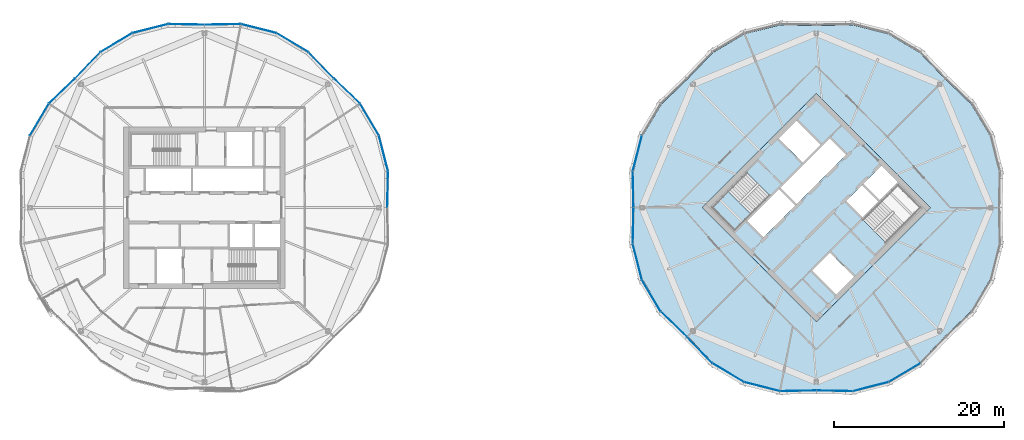
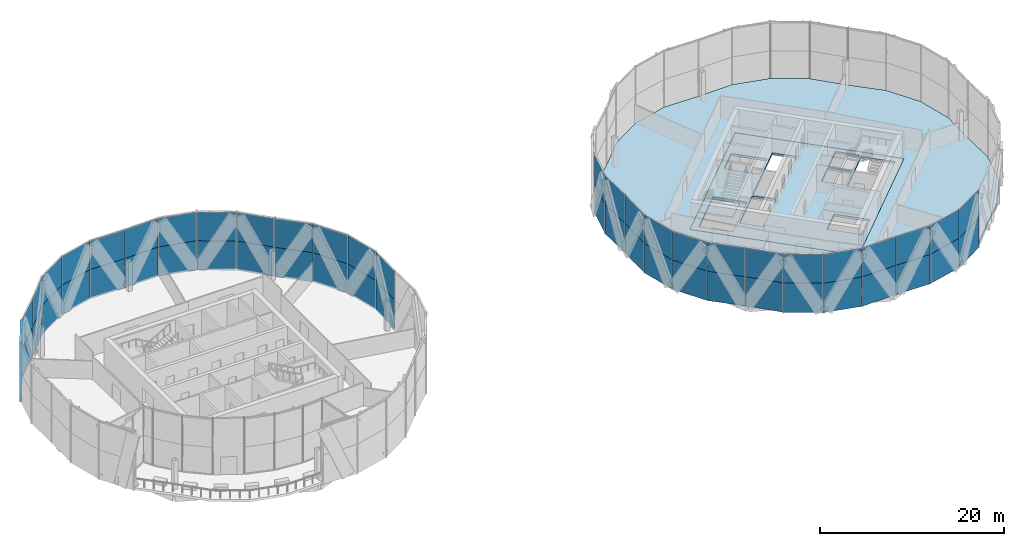
# One storey, part 17 of 27: 54 plates, 3 slabs, 9 elements without a shape of their own.
"""IFC4 building model written with IfcOpenShell, lengths in metres."""

from ifc_helpers import new_model, si_unit, direction, frame, origin, origin_2d, place, context, subcontext, project, spatial, polyline, rectangle, outline, extrude, material, layer, layer_set, type_object, element, aggregate, save


model = new_model("IFC4")

# Units and contexts
model_context = context("Model", 3, precision=1e-05, world=origin(), true_north=direction((0.0, 1.0)))
body_context = subcontext(model_context, "Body", "Model", "MODEL_VIEW")
ifc_project = project(units=[si_unit("LENGTHUNIT", "METRE"), si_unit("AREAUNIT", "SQUARE_METRE"), si_unit("VOLUMEUNIT", "CUBIC_METRE"), si_unit("PLANEANGLEUNIT", "RADIAN"), si_unit("MASSUNIT", "GRAM", prefix="KILO")], contexts=[model_context])

# Site, building, storey
site_placement = place(None, origin())
site = spatial("IfcSite", under=ifc_project, at=site_placement, CompositionType="ELEMENT")
building_placement = place(site_placement, origin())
building = spatial("IfcBuilding", under=site, at=building_placement, Name="Ogive Gate Towers", CompositionType="ELEMENT")
storey_placement = place(building_placement, frame((0.0, 0.0, 189.0)))
storey = spatial("IfcBuildingStorey", under=building, at=storey_placement, Name="L45", CompositionType="ELEMENT", Elevation=189.0)

# Slabs
ifc_material_1 = material(Name="Concrete C40/50", Category="concrete")
ifc_layer_1 = layer(ifc_material_1, 0.300048828125)
ifc_layer_set_1 = layer_set([ifc_layer_1], Name="Core slab C40/50 300 mm")
slab_type_1 = type_object("IfcSlabType", Name="Core slab C40/50 300 mm", PredefinedType="FLOOR", material=ifc_layer_set_1)
slab_1_placement = place(storey_placement, frame((0.0, 0.0, -0.300048828125)))
element("IfcSlab", 1, at=slab_1_placement, inside=storey, type_object=slab_type_1, Name="T2 L45 core slab", PredefinedType="FLOOR", context=body_context, shape_type="SweptSolid", body=[
    extrude(outline(polyline([(36.0, -13.43505859375), (22.56494140625, 0.0), (36.0, 13.43505859375), (49.43505859375, 0.0), (36.0, -13.43505859375)]), holes=[polyline([(29.759765625, -3.482421875), (33.50732421875, 0.26513671875), (31.615966796875, 2.15673828125), (27.868408203125, -1.591064453125), (29.759765625, -3.482421875)]), polyline([(31.792724609375, 2.33349609375), (33.68408203125, 0.44189453125), (39.482421875, 6.240234375), (37.591064453125, 8.131591796875), (31.792724609375, 2.33349609375)]), polyline([(41.3916015625, 2.634033203125), (39.517822265625, 0.760009765625), (41.409423828125, -1.13134765625), (43.283203125, 0.742431640625), (41.3916015625, 2.634033203125)]), polyline([(45.563720703125, 3.02294921875), (43.672119140625, 4.914306640625), (41.568603515625, 2.810791015625), (43.4599609375, 0.919189453125), (45.563720703125, 3.02294921875)]), polyline([(34.408935546875, 5.30322265625), (36.4951171875, 7.389404296875), (33.64892578125, 10.2353515625), (31.56298828125, 8.1494140625), (34.408935546875, 5.30322265625)]), polyline([(35.5048828125, -7.389404296875), (38.35107421875, -10.2353515625), (40.43701171875, -8.1494140625), (37.591064453125, -5.30322265625), (35.5048828125, -7.389404296875)]), polyline([(26.40087890625, -2.70458984375), (30.512939453125, 1.406982421875), (27.80810546875, 4.11181640625), (23.6962890625, 0.0), (26.40087890625, -2.70458984375)]), polyline([(48.3037109375, 0.0), (45.59912109375, 2.70458984375), (41.487060546875, -1.406982421875), (44.19189453125, -4.11181640625), (48.3037109375, 0.0)])]), origin(), (0.0, 0.0, 1.0), 0.300048828125),
])
ifc_material_2 = material(Name="Concrete C35/45", Category="concrete")
ifc_layer_2 = layer(ifc_material_2, 0.300048828125)
ifc_layer_set_2 = layer_set([ifc_layer_2], Name="Floor slab 300")
slab_type_2 = type_object("IfcSlabType", Name="Floor slab 300", PredefinedType="FLOOR", material=ifc_layer_set_2)
slab_2_placement = place(storey_placement, frame((0.0, 0.0, -0.300048828125)))
element("IfcSlab", 2, at=slab_2_placement, inside=storey, type_object=slab_type_2, Name="T2/L45/SSL001", PredefinedType="FLOOR", context=body_context, shape_type="SweptSolid", body=[
    extrude(outline(polyline([(57.498779296875, -4.2763671875), (57.419921875, 0.0), (57.498779296875, 4.2763671875), (56.436279296875, 8.46484375), (54.225830078125, 12.177978515625), (51.146240234375, 15.146240234375), (48.177978515625, 18.225830078125), (44.46484375, 20.436279296875), (40.2763671875, 21.498779296875), (36.0, 21.419921875), (31.7236328125, 21.498779296875), (27.53515625, 20.436279296875), (23.822021484375, 18.225830078125), (20.853759765625, 15.146240234375), (17.774169921875, 12.177978515625), (15.563720703125, 8.46484375), (14.501220703125, 4.2763671875), (14.580078125, 0.0), (14.501220703125, -4.2763671875), (15.563720703125, -8.46484375), (17.774169921875, -12.177978515625), (20.853759765625, -15.146240234375), (23.822021484375, -18.225830078125), (27.53515625, -20.436279296875), (31.7236328125, -21.498779296875), (36.0, -21.419921875), (40.2763671875, -21.498779296875), (44.46484375, -20.436279296875), (48.177978515625, -18.225830078125), (51.146240234375, -15.146240234375), (54.225830078125, -12.177978515625), (56.436279296875, -8.46484375), (57.498779296875, -4.2763671875)]), holes=[polyline([(49.43505859375, 0.0), (36.0, -13.43505859375), (22.56494140625, 0.0), (36.0, 13.43505859375), (49.43505859375, 0.0)])]), origin(), (0.0, 0.0, 1.0), 0.300048828125),
])

# Stair, slab
stair_type = type_object("IfcStairType", Name="Escape stair 1840 wide", PredefinedType="HALF_TURN_STAIR", material=ifc_material_1)
stair_placement = place(storey_placement, origin())
stair = element("IfcStair", 3, at=stair_placement, inside=storey, type_object=stair_type, Name="L45 Escape stair 1", PredefinedType="HALF_TURN_STAIR")
ifc_layer_3 = layer(ifc_material_1, 0.199951171875)
ifc_layer_set_3 = layer_set([ifc_layer_3], Name="Stair landing 200 mm")
slab_type_3 = type_object("IfcSlabType", Name="Stair landing 200 mm", PredefinedType="LANDING", material=ifc_layer_set_3)
slab_3_placement = place(storey_placement, frame((0.0, 0.0, 1.75)))
slab_3 = element("IfcSlab", 4, at=slab_3_placement, type_object=slab_type_3, Name="ST1 landing 1", PredefinedType="LANDING", context=body_context, shape_type="SweptSolid", body=[
    extrude(outline(polyline([(25.6044921875, 1.908203125), (23.6962890625, 0.0), (26.401123046875, -2.70458984375), (28.309326171875, -0.79638671875), (25.6044921875, 1.908203125)])), origin(), (0.0, 0.0, 1.0), 0.199951171875),
])
aggregate(stair, [slab_3])

# Curtain wall, plates
ifc_material_3 = material(Name="Pale metal aluminium", Category="aluminium")
curtain_wall_type = type_object("IfcCurtainWallType", Name="Tower unitised wall, high zone", PredefinedType="NOTDEFINED", material=ifc_material_3)
curtain_wall_1_placement = place(storey_placement, origin())
curtain_wall_1 = element("IfcCurtainWall", 5, at=curtain_wall_1_placement, inside=storey, type_object=curtain_wall_type, Name="CW2 T1 ECW04", PredefinedType="NOTDEFINED")
ifc_material_4 = material(Name="Clear glass", Category="glass")
ifc_layer_4 = layer(ifc_material_4, 0.028076171875)
ifc_layer_set_4 = layer_set([ifc_layer_4], Name="Tower unitised wall, high zone glass panel")
plate_type = type_object("IfcPlateType", Name="Tower unitised wall, high zone glass panel", PredefinedType="CURTAIN_PANEL", material=ifc_layer_set_4)
plate_1_placement = place(storey_placement, frame((-19.240478515625, 13.730224609375, -0.300048828125), z_axis=(0.0, 0.0, 1.0), x_axis=(0.720030516576, -0.693942400491, 0.0)))
plate_1 = element("IfcPlate", 6, at=plate_1_placement, type_object=plate_type, Name="CW2 glass panel", PredefinedType="CURTAIN_PANEL", context=body_context, shape_type="SweptSolid", body=[
    extrude(rectangle(XDim=4.230712890625, YDim=0.028076171875, at=origin_2d()), origin(), (0.0, 0.0, 1.0), 3.89990234375),
])
plate_2_placement = place(storey_placement, frame((-19.240478515625, 13.730224609375, 3.60009765625), z_axis=(0.0, 0.0, 1.0), x_axis=(0.720030516576, -0.693942400491, 0.0)))
plate_2 = element("IfcPlate", 7, at=plate_2_placement, type_object=plate_type, Name="CW2 glass panel", PredefinedType="CURTAIN_PANEL", context=body_context, shape_type="SweptSolid", body=[
    extrude(rectangle(XDim=4.230712890625, YDim=0.028076171875, at=origin_2d()), origin(), (0.0, 0.0, 1.0), 3.803955078125),
])
plate_3_placement = place(storey_placement, frame((-16.582763671875, 10.372314453125, -0.300048828125), z_axis=(0.0, 0.0, 1.0), x_axis=(0.511518060625, -0.859272525835, 0.0)))
plate_3 = element("IfcPlate", 8, at=plate_3_placement, type_object=plate_type, Name="CW2 glass panel", PredefinedType="CURTAIN_PANEL", context=body_context, shape_type="SweptSolid", body=[
    extrude(rectangle(XDim=4.287353515625, YDim=0.028076171875, at=origin_2d()), origin(), (0.0, 0.0, 1.0), 3.89990234375),
])
plate_4_placement = place(storey_placement, frame((-16.582763671875, 10.372314453125, 3.60009765625), z_axis=(0.0, 0.0, 1.0), x_axis=(0.511518060625, -0.859272525835, 0.0)))
plate_4 = element("IfcPlate", 9, at=plate_4_placement, type_object=plate_type, Name="CW2 glass panel", PredefinedType="CURTAIN_PANEL", context=body_context, shape_type="SweptSolid", body=[
    extrude(rectangle(XDim=4.287353515625, YDim=0.028076171875, at=origin_2d()), origin(), (0.0, 0.0, 1.0), 3.803955078125),
])
plate_5_placement = place(storey_placement, frame((-14.935791015625, 6.395751953125, -0.300048828125), z_axis=(0.0, 0.0, 1.0), x_axis=(0.245882623105, -0.969299610881, 0.0)))
plate_5 = element("IfcPlate", 10, at=plate_5_placement, type_object=plate_type, Name="CW2 glass panel", PredefinedType="CURTAIN_PANEL", context=body_context, shape_type="SweptSolid", body=[
    extrude(rectangle(XDim=4.287109375, YDim=0.028076171875, at=origin_2d()), origin(), (0.0, 0.0, 1.0), 3.89990234375),
])
plate_6_placement = place(storey_placement, frame((-14.935791015625, 6.395751953125, 3.60009765625), z_axis=(0.0, 0.0, 1.0), x_axis=(0.245882623105, -0.969299610881, 0.0)))
plate_6 = element("IfcPlate", 11, at=plate_6_placement, type_object=plate_type, Name="CW2 glass panel", PredefinedType="CURTAIN_PANEL", context=body_context, shape_type="SweptSolid", body=[
    extrude(rectangle(XDim=4.287109375, YDim=0.028076171875, at=origin_2d()), origin(), (0.0, 0.0, 1.0), 3.803955078125),
])
plate_7_placement = place(storey_placement, frame((-14.4404296875, 2.14208984375, -0.300048828125), z_axis=(0.0, 0.0, 1.0), x_axis=(-0.018412183135, -0.999830481388, 0.0)))
plate_7 = element("IfcPlate", 12, at=plate_7_placement, type_object=plate_type, Name="CW2 glass panel", PredefinedType="CURTAIN_PANEL", context=body_context, shape_type="SweptSolid", body=[
    extrude(rectangle(XDim=4.230712890625, YDim=0.028076171875, at=origin_2d()), origin(), (0.0, 0.0, 1.0), 3.89990234375),
])
plate_8_placement = place(storey_placement, frame((-14.4404296875, 2.14208984375, 3.60009765625), z_axis=(0.0, 0.0, 1.0), x_axis=(-0.018412183135, -0.999830481388, 0.0)))
plate_8 = element("IfcPlate", 13, at=plate_8_placement, type_object=plate_type, Name="CW2 glass panel", PredefinedType="CURTAIN_PANEL", context=body_context, shape_type="SweptSolid", body=[
    extrude(rectangle(XDim=4.230712890625, YDim=0.028076171875, at=origin_2d()), origin(), (0.0, 0.0, 1.0), 3.803955078125),
])
aggregate(curtain_wall_1, [plate_1, plate_2, plate_3, plate_4, plate_5, plate_6, plate_7, plate_8])

curtain_wall_2_placement = place(storey_placement, origin())
curtain_wall_2 = element("IfcCurtainWall", 14, at=curtain_wall_2_placement, inside=storey, type_object=curtain_wall_type, Name="CW2 T1 ECW05", PredefinedType="NOTDEFINED")
plate_9_placement = place(storey_placement, frame((-33.85791015625, 21.5595703125, -0.300048828125), z_axis=(0.0, 0.0, 1.0), x_axis=(0.999830481388, 0.018412183135, 0.0)))
plate_9 = element("IfcPlate", 15, at=plate_9_placement, type_object=plate_type, Name="CW2 glass panel", PredefinedType="CURTAIN_PANEL", context=body_context, shape_type="SweptSolid", body=[
    extrude(rectangle(XDim=4.230712890625, YDim=0.028076171875, at=origin_2d()), origin(), (0.0, 0.0, 1.0), 3.89990234375),
])
plate_10_placement = place(storey_placement, frame((-33.85791015625, 21.5595703125, 3.60009765625), z_axis=(0.0, 0.0, 1.0), x_axis=(0.999830481388, 0.018412183135, 0.0)))
plate_10 = element("IfcPlate", 16, at=plate_10_placement, type_object=plate_type, Name="CW2 glass panel", PredefinedType="CURTAIN_PANEL", context=body_context, shape_type="SweptSolid", body=[
    extrude(rectangle(XDim=4.230712890625, YDim=0.028076171875, at=origin_2d()), origin(), (0.0, 0.0, 1.0), 3.803955078125),
])
plate_11_placement = place(storey_placement, frame((-29.604248046875, 21.064208984375, -0.300048828125), z_axis=(0.0, 0.0, 1.0), x_axis=(0.969299610881, -0.245882623105, 0.0)))
plate_11 = element("IfcPlate", 17, at=plate_11_placement, type_object=plate_type, Name="CW2 glass panel", PredefinedType="CURTAIN_PANEL", context=body_context, shape_type="SweptSolid", body=[
    extrude(rectangle(XDim=4.287109375, YDim=0.028076171875, at=origin_2d()), origin(), (0.0, 0.0, 1.0), 3.89990234375),
])
plate_12_placement = place(storey_placement, frame((-29.604248046875, 21.064208984375, 3.60009765625), z_axis=(0.0, 0.0, 1.0), x_axis=(0.969299610881, -0.245882623105, 0.0)))
plate_12 = element("IfcPlate", 18, at=plate_12_placement, type_object=plate_type, Name="CW2 glass panel", PredefinedType="CURTAIN_PANEL", context=body_context, shape_type="SweptSolid", body=[
    extrude(rectangle(XDim=4.287109375, YDim=0.028076171875, at=origin_2d()), origin(), (0.0, 0.0, 1.0), 3.803955078125),
])
plate_13_placement = place(storey_placement, frame((-25.627685546875, 19.417236328125, -0.300048828125), z_axis=(0.0, 0.0, 1.0), x_axis=(0.859272525835, -0.511518060625, 0.0)))
plate_13 = element("IfcPlate", 19, at=plate_13_placement, type_object=plate_type, Name="CW2 glass panel", PredefinedType="CURTAIN_PANEL", context=body_context, shape_type="SweptSolid", body=[
    extrude(rectangle(XDim=4.287353515625, YDim=0.028076171875, at=origin_2d()), origin(), (0.0, 0.0, 1.0), 3.89990234375),
])
plate_14_placement = place(storey_placement, frame((-25.627685546875, 19.417236328125, 3.60009765625), z_axis=(0.0, 0.0, 1.0), x_axis=(0.859272525835, -0.511518060625, 0.0)))
plate_14 = element("IfcPlate", 20, at=plate_14_placement, type_object=plate_type, Name="CW2 glass panel", PredefinedType="CURTAIN_PANEL", context=body_context, shape_type="SweptSolid", body=[
    extrude(rectangle(XDim=4.287353515625, YDim=0.028076171875, at=origin_2d()), origin(), (0.0, 0.0, 1.0), 3.803955078125),
])
plate_15_placement = place(storey_placement, frame((-22.269775390625, 16.759521484375, -0.300048828125), z_axis=(0.0, 0.0, 1.0), x_axis=(0.693942400491, -0.720030516576, 0.0)))
plate_15 = element("IfcPlate", 21, at=plate_15_placement, type_object=plate_type, Name="CW2 glass panel", PredefinedType="CURTAIN_PANEL", context=body_context, shape_type="SweptSolid", body=[
    extrude(rectangle(XDim=4.230712890625, YDim=0.028076171875, at=origin_2d()), origin(), (0.0, 0.0, 1.0), 3.89990234375),
])
plate_16_placement = place(storey_placement, frame((-22.269775390625, 16.759521484375, 3.60009765625), z_axis=(0.0, 0.0, 1.0), x_axis=(0.693942400491, -0.720030516576, 0.0)))
plate_16 = element("IfcPlate", 22, at=plate_16_placement, type_object=plate_type, Name="CW2 glass panel", PredefinedType="CURTAIN_PANEL", context=body_context, shape_type="SweptSolid", body=[
    extrude(rectangle(XDim=4.230712890625, YDim=0.028076171875, at=origin_2d()), origin(), (0.0, 0.0, 1.0), 3.803955078125),
])
aggregate(curtain_wall_2, [plate_9, plate_10, plate_11, plate_12, plate_13, plate_14, plate_15, plate_16])

curtain_wall_3_placement = place(storey_placement, origin())
curtain_wall_3 = element("IfcCurtainWall", 23, at=curtain_wall_3_placement, inside=storey, type_object=curtain_wall_type, Name="CW2 T1 ECW06", PredefinedType="NOTDEFINED")
plate_17_placement = place(storey_placement, frame((-49.730224609375, 16.759521484375, -0.300048828125), z_axis=(0.0, 0.0, 1.0), x_axis=(0.693942400491, 0.720030516576, 0.0)))
plate_17 = element("IfcPlate", 24, at=plate_17_placement, type_object=plate_type, Name="CW2 glass panel", PredefinedType="CURTAIN_PANEL", context=body_context, shape_type="SweptSolid", body=[
    extrude(rectangle(XDim=4.230712890625, YDim=0.028076171875, at=origin_2d()), origin(), (0.0, 0.0, 1.0), 3.89990234375),
])
plate_18_placement = place(storey_placement, frame((-49.730224609375, 16.759521484375, 3.60009765625), z_axis=(0.0, 0.0, 1.0), x_axis=(0.693942400491, 0.720030516576, 0.0)))
plate_18 = element("IfcPlate", 25, at=plate_18_placement, type_object=plate_type, Name="CW2 glass panel", PredefinedType="CURTAIN_PANEL", context=body_context, shape_type="SweptSolid", body=[
    extrude(rectangle(XDim=4.230712890625, YDim=0.028076171875, at=origin_2d()), origin(), (0.0, 0.0, 1.0), 3.803955078125),
])
plate_19_placement = place(storey_placement, frame((-46.372314453125, 19.417236328125, -0.300048828125), z_axis=(0.0, 0.0, 1.0), x_axis=(0.859272525835, 0.511518060625, 0.0)))
plate_19 = element("IfcPlate", 26, at=plate_19_placement, type_object=plate_type, Name="CW2 glass panel", PredefinedType="CURTAIN_PANEL", context=body_context, shape_type="SweptSolid", body=[
    extrude(rectangle(XDim=4.287353515625, YDim=0.028076171875, at=origin_2d()), origin(), (0.0, 0.0, 1.0), 3.89990234375),
])
plate_20_placement = place(storey_placement, frame((-46.372314453125, 19.417236328125, 3.60009765625), z_axis=(0.0, 0.0, 1.0), x_axis=(0.859272525835, 0.511518060625, 0.0)))
plate_20 = element("IfcPlate", 27, at=plate_20_placement, type_object=plate_type, Name="CW2 glass panel", PredefinedType="CURTAIN_PANEL", context=body_context, shape_type="SweptSolid", body=[
    extrude(rectangle(XDim=4.287353515625, YDim=0.028076171875, at=origin_2d()), origin(), (0.0, 0.0, 1.0), 3.803955078125),
])
plate_21_placement = place(storey_placement, frame((-42.395751953125, 21.064208984375, -0.300048828125), z_axis=(0.0, 0.0, 1.0), x_axis=(0.969299610881, 0.245882623105, 0.0)))
plate_21 = element("IfcPlate", 28, at=plate_21_placement, type_object=plate_type, Name="CW2 glass panel", PredefinedType="CURTAIN_PANEL", context=body_context, shape_type="SweptSolid", body=[
    extrude(rectangle(XDim=4.287109375, YDim=0.028076171875, at=origin_2d()), origin(), (0.0, 0.0, 1.0), 3.89990234375),
])
plate_22_placement = place(storey_placement, frame((-42.395751953125, 21.064208984375, 3.60009765625), z_axis=(0.0, 0.0, 1.0), x_axis=(0.969299610881, 0.245882623105, 0.0)))
plate_22 = element("IfcPlate", 29, at=plate_22_placement, type_object=plate_type, Name="CW2 glass panel", PredefinedType="CURTAIN_PANEL", context=body_context, shape_type="SweptSolid", body=[
    extrude(rectangle(XDim=4.287109375, YDim=0.028076171875, at=origin_2d()), origin(), (0.0, 0.0, 1.0), 3.803955078125),
])
plate_23_placement = place(storey_placement, frame((-38.14208984375, 21.5595703125, -0.300048828125), z_axis=(0.0, 0.0, 1.0), x_axis=(0.999830481388, -0.018412183135, 0.0)))
plate_23 = element("IfcPlate", 30, at=plate_23_placement, type_object=plate_type, Name="CW2 glass panel", PredefinedType="CURTAIN_PANEL", context=body_context, shape_type="SweptSolid", body=[
    extrude(rectangle(XDim=4.230712890625, YDim=0.028076171875, at=origin_2d()), origin(), (0.0, 0.0, 1.0), 3.89990234375),
])
plate_24_placement = place(storey_placement, frame((-38.14208984375, 21.5595703125, 3.60009765625), z_axis=(0.0, 0.0, 1.0), x_axis=(0.999830481388, -0.018412183135, 0.0)))
plate_24 = element("IfcPlate", 31, at=plate_24_placement, type_object=plate_type, Name="CW2 glass panel", PredefinedType="CURTAIN_PANEL", context=body_context, shape_type="SweptSolid", body=[
    extrude(rectangle(XDim=4.230712890625, YDim=0.028076171875, at=origin_2d()), origin(), (0.0, 0.0, 1.0), 3.803955078125),
])
aggregate(curtain_wall_3, [plate_17, plate_18, plate_19, plate_20, plate_21, plate_22, plate_23, plate_24])

curtain_wall_4_placement = place(storey_placement, origin())
curtain_wall_4 = element("IfcCurtainWall", 32, at=curtain_wall_4_placement, inside=storey, type_object=curtain_wall_type, Name="CW2 T1 ECW07", PredefinedType="NOTDEFINED")
plate_25_placement = place(storey_placement, frame((-55.417236328125, 10.372314453125, -0.300048828125), z_axis=(0.0, 0.0, 1.0), x_axis=(0.511518060625, 0.859272525835, 0.0)))
plate_25 = element("IfcPlate", 33, at=plate_25_placement, type_object=plate_type, Name="CW2 glass panel", PredefinedType="CURTAIN_PANEL", context=body_context, shape_type="SweptSolid", body=[
    extrude(rectangle(XDim=4.287353515625, YDim=0.028076171875, at=origin_2d()), origin(), (0.0, 0.0, 1.0), 3.89990234375),
])
plate_26_placement = place(storey_placement, frame((-55.417236328125, 10.372314453125, 3.60009765625), z_axis=(0.0, 0.0, 1.0), x_axis=(0.511518060625, 0.859272525835, 0.0)))
plate_26 = element("IfcPlate", 34, at=plate_26_placement, type_object=plate_type, Name="CW2 glass panel", PredefinedType="CURTAIN_PANEL", context=body_context, shape_type="SweptSolid", body=[
    extrude(rectangle(XDim=4.287353515625, YDim=0.028076171875, at=origin_2d()), origin(), (0.0, 0.0, 1.0), 3.803955078125),
])
plate_27_placement = place(storey_placement, frame((-52.759521484375, 13.730224609375, -0.300048828125), z_axis=(0.0, 0.0, 1.0), x_axis=(0.720030516576, 0.693942400491, 0.0)))
plate_27 = element("IfcPlate", 35, at=plate_27_placement, type_object=plate_type, Name="CW2 glass panel", PredefinedType="CURTAIN_PANEL", context=body_context, shape_type="SweptSolid", body=[
    extrude(rectangle(XDim=4.230712890625, YDim=0.028076171875, at=origin_2d()), origin(), (0.0, 0.0, 1.0), 3.89990234375),
])
plate_28_placement = place(storey_placement, frame((-52.759521484375, 13.730224609375, 3.60009765625), z_axis=(0.0, 0.0, 1.0), x_axis=(0.720030516576, 0.693942400491, 0.0)))
plate_28 = element("IfcPlate", 36, at=plate_28_placement, type_object=plate_type, Name="CW2 glass panel", PredefinedType="CURTAIN_PANEL", context=body_context, shape_type="SweptSolid", body=[
    extrude(rectangle(XDim=4.230712890625, YDim=0.028076171875, at=origin_2d()), origin(), (0.0, 0.0, 1.0), 3.803955078125),
])
aggregate(curtain_wall_4, [plate_25, plate_26, plate_27, plate_28])

curtain_wall_5_placement = place(storey_placement, origin())
curtain_wall_5 = element("IfcCurtainWall", 37, at=curtain_wall_5_placement, inside=storey, type_object=curtain_wall_type, Name="CW2 T2 ECW04", PredefinedType="NOTDEFINED")
plate_29_placement = place(storey_placement, frame((14.935791015625, 6.395751953125, -0.300048828125), z_axis=(0.0, 0.0, 1.0), x_axis=(-0.245882623105, -0.969299610881, 0.0)))
plate_29 = element("IfcPlate", 38, at=plate_29_placement, type_object=plate_type, Name="CW2 glass panel", PredefinedType="CURTAIN_PANEL", context=body_context, shape_type="SweptSolid", body=[
    extrude(rectangle(XDim=4.287109375, YDim=0.028076171875, at=origin_2d()), origin(), (0.0, 0.0, 1.0), 3.89990234375),
])
plate_30_placement = place(storey_placement, frame((14.935791015625, 6.395751953125, 3.60009765625), z_axis=(0.0, 0.0, 1.0), x_axis=(-0.245882623105, -0.969299610881, 0.0)))
plate_30 = element("IfcPlate", 39, at=plate_30_placement, type_object=plate_type, Name="CW2 glass panel", PredefinedType="CURTAIN_PANEL", context=body_context, shape_type="SweptSolid", body=[
    extrude(rectangle(XDim=4.287109375, YDim=0.028076171875, at=origin_2d()), origin(), (0.0, 0.0, 1.0), 3.803955078125),
])
plate_31_placement = place(storey_placement, frame((14.4404296875, 2.14208984375, -0.300048828125), z_axis=(0.0, 0.0, 1.0), x_axis=(0.018412183135, -0.999830481388, 0.0)))
plate_31 = element("IfcPlate", 40, at=plate_31_placement, type_object=plate_type, Name="CW2 glass panel", PredefinedType="CURTAIN_PANEL", context=body_context, shape_type="SweptSolid", body=[
    extrude(rectangle(XDim=4.230712890625, YDim=0.028076171875, at=origin_2d()), origin(), (0.0, 0.0, 1.0), 3.89990234375),
])
plate_32_placement = place(storey_placement, frame((14.4404296875, 2.14208984375, 3.60009765625), z_axis=(0.0, 0.0, 1.0), x_axis=(0.018412183135, -0.999830481388, 0.0)))
plate_32 = element("IfcPlate", 41, at=plate_32_placement, type_object=plate_type, Name="CW2 glass panel", PredefinedType="CURTAIN_PANEL", context=body_context, shape_type="SweptSolid", body=[
    extrude(rectangle(XDim=4.230712890625, YDim=0.028076171875, at=origin_2d()), origin(), (0.0, 0.0, 1.0), 3.803955078125),
])
aggregate(curtain_wall_5, [plate_29, plate_30, plate_31, plate_32])

curtain_wall_6_placement = place(storey_placement, origin())
curtain_wall_6 = element("IfcCurtainWall", 42, at=curtain_wall_6_placement, inside=storey, type_object=curtain_wall_type, Name="CW2 T2 ECW05", PredefinedType="NOTDEFINED")
plate_33_placement = place(storey_placement, frame((14.4404296875, -2.14208984375, -0.300048828125), z_axis=(0.0, 0.0, 1.0), x_axis=(-0.018412183135, -0.999830481388, 0.0)))
plate_33 = element("IfcPlate", 43, at=plate_33_placement, type_object=plate_type, Name="CW2 glass panel", PredefinedType="CURTAIN_PANEL", context=body_context, shape_type="SweptSolid", body=[
    extrude(rectangle(XDim=4.230712890625, YDim=0.028076171875, at=origin_2d()), origin(), (0.0, 0.0, 1.0), 3.89990234375),
])
plate_34_placement = place(storey_placement, frame((14.4404296875, -2.14208984375, 3.60009765625), z_axis=(0.0, 0.0, 1.0), x_axis=(-0.018412183135, -0.999830481388, 0.0)))
plate_34 = element("IfcPlate", 44, at=plate_34_placement, type_object=plate_type, Name="CW2 glass panel", PredefinedType="CURTAIN_PANEL", context=body_context, shape_type="SweptSolid", body=[
    extrude(rectangle(XDim=4.230712890625, YDim=0.028076171875, at=origin_2d()), origin(), (0.0, 0.0, 1.0), 3.803955078125),
])
plate_35_placement = place(storey_placement, frame((14.935791015625, -6.395751953125, -0.300048828125), z_axis=(0.0, 0.0, 1.0), x_axis=(0.245882623105, -0.969299610881, 0.0)))
plate_35 = element("IfcPlate", 45, at=plate_35_placement, type_object=plate_type, Name="CW2 glass panel", PredefinedType="CURTAIN_PANEL", context=body_context, shape_type="SweptSolid", body=[
    extrude(rectangle(XDim=4.287109375, YDim=0.028076171875, at=origin_2d()), origin(), (0.0, 0.0, 1.0), 3.89990234375),
])
plate_36_placement = place(storey_placement, frame((14.935791015625, -6.395751953125, 3.60009765625), z_axis=(0.0, 0.0, 1.0), x_axis=(0.245882623105, -0.969299610881, 0.0)))
plate_36 = element("IfcPlate", 46, at=plate_36_placement, type_object=plate_type, Name="CW2 glass panel", PredefinedType="CURTAIN_PANEL", context=body_context, shape_type="SweptSolid", body=[
    extrude(rectangle(XDim=4.287109375, YDim=0.028076171875, at=origin_2d()), origin(), (0.0, 0.0, 1.0), 3.803955078125),
])
plate_37_placement = place(storey_placement, frame((16.582763671875, -10.372314453125, -0.300048828125), z_axis=(0.0, 0.0, 1.0), x_axis=(0.511518060625, -0.859272525835, 0.0)))
plate_37 = element("IfcPlate", 47, at=plate_37_placement, type_object=plate_type, Name="CW2 glass panel", PredefinedType="CURTAIN_PANEL", context=body_context, shape_type="SweptSolid", body=[
    extrude(rectangle(XDim=4.287353515625, YDim=0.028076171875, at=origin_2d()), origin(), (0.0, 0.0, 1.0), 3.89990234375),
])
plate_38_placement = place(storey_placement, frame((16.582763671875, -10.372314453125, 3.60009765625), z_axis=(0.0, 0.0, 1.0), x_axis=(0.511518060625, -0.859272525835, 0.0)))
plate_38 = element("IfcPlate", 48, at=plate_38_placement, type_object=plate_type, Name="CW2 glass panel", PredefinedType="CURTAIN_PANEL", context=body_context, shape_type="SweptSolid", body=[
    extrude(rectangle(XDim=4.287353515625, YDim=0.028076171875, at=origin_2d()), origin(), (0.0, 0.0, 1.0), 3.803955078125),
])
plate_39_placement = place(storey_placement, frame((19.240478515625, -13.730224609375, -0.300048828125), z_axis=(0.0, 0.0, 1.0), x_axis=(0.720030516576, -0.693942400491, 0.0)))
plate_39 = element("IfcPlate", 49, at=plate_39_placement, type_object=plate_type, Name="CW2 glass panel", PredefinedType="CURTAIN_PANEL", context=body_context, shape_type="SweptSolid", body=[
    extrude(rectangle(XDim=4.230712890625, YDim=0.028076171875, at=origin_2d()), origin(), (0.0, 0.0, 1.0), 3.89990234375),
])
plate_40_placement = place(storey_placement, frame((19.240478515625, -13.730224609375, 3.60009765625), z_axis=(0.0, 0.0, 1.0), x_axis=(0.720030516576, -0.693942400491, 0.0)))
plate_40 = element("IfcPlate", 50, at=plate_40_placement, type_object=plate_type, Name="CW2 glass panel", PredefinedType="CURTAIN_PANEL", context=body_context, shape_type="SweptSolid", body=[
    extrude(rectangle(XDim=4.230712890625, YDim=0.028076171875, at=origin_2d()), origin(), (0.0, 0.0, 1.0), 3.803955078125),
])
aggregate(curtain_wall_6, [plate_33, plate_34, plate_35, plate_36, plate_37, plate_38, plate_39, plate_40])

curtain_wall_7_placement = place(storey_placement, origin())
curtain_wall_7 = element("IfcCurtainWall", 51, at=curtain_wall_7_placement, inside=storey, type_object=curtain_wall_type, Name="CW2 T2 ECW06", PredefinedType="NOTDEFINED")
plate_41_placement = place(storey_placement, frame((22.269775390625, -16.759521484375, -0.300048828125), z_axis=(0.0, 0.0, 1.0), x_axis=(0.693942400491, -0.720030516576, 0.0)))
plate_41 = element("IfcPlate", 52, at=plate_41_placement, type_object=plate_type, Name="CW2 glass panel", PredefinedType="CURTAIN_PANEL", context=body_context, shape_type="SweptSolid", body=[
    extrude(rectangle(XDim=4.230712890625, YDim=0.028076171875, at=origin_2d()), origin(), (0.0, 0.0, 1.0), 3.89990234375),
])
plate_42_placement = place(storey_placement, frame((22.269775390625, -16.759521484375, 3.60009765625), z_axis=(0.0, 0.0, 1.0), x_axis=(0.693942400491, -0.720030516576, 0.0)))
plate_42 = element("IfcPlate", 53, at=plate_42_placement, type_object=plate_type, Name="CW2 glass panel", PredefinedType="CURTAIN_PANEL", context=body_context, shape_type="SweptSolid", body=[
    extrude(rectangle(XDim=4.230712890625, YDim=0.028076171875, at=origin_2d()), origin(), (0.0, 0.0, 1.0), 3.803955078125),
])
plate_43_placement = place(storey_placement, frame((25.627685546875, -19.417236328125, -0.300048828125), z_axis=(0.0, 0.0, 1.0), x_axis=(0.859272525835, -0.511518060625, 0.0)))
plate_43 = element("IfcPlate", 54, at=plate_43_placement, type_object=plate_type, Name="CW2 glass panel", PredefinedType="CURTAIN_PANEL", context=body_context, shape_type="SweptSolid", body=[
    extrude(rectangle(XDim=4.287353515625, YDim=0.028076171875, at=origin_2d()), origin(), (0.0, 0.0, 1.0), 3.89990234375),
])
plate_44_placement = place(storey_placement, frame((25.627685546875, -19.417236328125, 3.60009765625), z_axis=(0.0, 0.0, 1.0), x_axis=(0.859272525835, -0.511518060625, 0.0)))
plate_44 = element("IfcPlate", 55, at=plate_44_placement, type_object=plate_type, Name="CW2 glass panel", PredefinedType="CURTAIN_PANEL", context=body_context, shape_type="SweptSolid", body=[
    extrude(rectangle(XDim=4.287353515625, YDim=0.028076171875, at=origin_2d()), origin(), (0.0, 0.0, 1.0), 3.803955078125),
])
plate_45_placement = place(storey_placement, frame((29.604248046875, -21.064208984375, -0.300048828125), z_axis=(0.0, 0.0, 1.0), x_axis=(0.969299610881, -0.245882623105, 0.0)))
plate_45 = element("IfcPlate", 56, at=plate_45_placement, type_object=plate_type, Name="CW2 glass panel", PredefinedType="CURTAIN_PANEL", context=body_context, shape_type="SweptSolid", body=[
    extrude(rectangle(XDim=4.287109375, YDim=0.028076171875, at=origin_2d()), origin(), (0.0, 0.0, 1.0), 3.89990234375),
])
plate_46_placement = place(storey_placement, frame((29.604248046875, -21.064208984375, 3.60009765625), z_axis=(0.0, 0.0, 1.0), x_axis=(0.969299610881, -0.245882623105, 0.0)))
plate_46 = element("IfcPlate", 57, at=plate_46_placement, type_object=plate_type, Name="CW2 glass panel", PredefinedType="CURTAIN_PANEL", context=body_context, shape_type="SweptSolid", body=[
    extrude(rectangle(XDim=4.287109375, YDim=0.028076171875, at=origin_2d()), origin(), (0.0, 0.0, 1.0), 3.803955078125),
])
plate_47_placement = place(storey_placement, frame((33.85791015625, -21.5595703125, -0.300048828125), z_axis=(0.0, 0.0, 1.0), x_axis=(0.999830481388, 0.018412183135, 0.0)))
plate_47 = element("IfcPlate", 58, at=plate_47_placement, type_object=plate_type, Name="CW2 glass panel", PredefinedType="CURTAIN_PANEL", context=body_context, shape_type="SweptSolid", body=[
    extrude(rectangle(XDim=4.230712890625, YDim=0.028076171875, at=origin_2d()), origin(), (0.0, 0.0, 1.0), 3.89990234375),
])
plate_48_placement = place(storey_placement, frame((33.85791015625, -21.5595703125, 3.60009765625), z_axis=(0.0, 0.0, 1.0), x_axis=(0.999830481388, 0.018412183135, 0.0)))
plate_48 = element("IfcPlate", 59, at=plate_48_placement, type_object=plate_type, Name="CW2 glass panel", PredefinedType="CURTAIN_PANEL", context=body_context, shape_type="SweptSolid", body=[
    extrude(rectangle(XDim=4.230712890625, YDim=0.028076171875, at=origin_2d()), origin(), (0.0, 0.0, 1.0), 3.803955078125),
])
aggregate(curtain_wall_7, [plate_41, plate_42, plate_43, plate_44, plate_45, plate_46, plate_47, plate_48])

curtain_wall_8_placement = place(storey_placement, origin())
curtain_wall_8 = element("IfcCurtainWall", 60, at=curtain_wall_8_placement, inside=storey, type_object=curtain_wall_type, Name="CW2 T2 ECW07", PredefinedType="NOTDEFINED")
plate_49_placement = place(storey_placement, frame((38.14208984375, -21.5595703125, -0.300048828125), z_axis=(0.0, 0.0, 1.0), x_axis=(0.999830481388, -0.018412183135, 0.0)))
plate_49 = element("IfcPlate", 61, at=plate_49_placement, type_object=plate_type, Name="CW2 glass panel", PredefinedType="CURTAIN_PANEL", context=body_context, shape_type="SweptSolid", body=[
    extrude(rectangle(XDim=4.230712890625, YDim=0.028076171875, at=origin_2d()), origin(), (0.0, 0.0, 1.0), 3.89990234375),
])
plate_50_placement = place(storey_placement, frame((38.14208984375, -21.5595703125, 3.60009765625), z_axis=(0.0, 0.0, 1.0), x_axis=(0.999830481388, -0.018412183135, 0.0)))
plate_50 = element("IfcPlate", 62, at=plate_50_placement, type_object=plate_type, Name="CW2 glass panel", PredefinedType="CURTAIN_PANEL", context=body_context, shape_type="SweptSolid", body=[
    extrude(rectangle(XDim=4.230712890625, YDim=0.028076171875, at=origin_2d()), origin(), (0.0, 0.0, 1.0), 3.803955078125),
])
plate_51_placement = place(storey_placement, frame((42.395751953125, -21.064208984375, -0.300048828125), z_axis=(0.0, 0.0, 1.0), x_axis=(0.969299610881, 0.245882623105, 0.0)))
plate_51 = element("IfcPlate", 63, at=plate_51_placement, type_object=plate_type, Name="CW2 glass panel", PredefinedType="CURTAIN_PANEL", context=body_context, shape_type="SweptSolid", body=[
    extrude(rectangle(XDim=4.287109375, YDim=0.028076171875, at=origin_2d()), origin(), (0.0, 0.0, 1.0), 3.89990234375),
])
plate_52_placement = place(storey_placement, frame((42.395751953125, -21.064208984375, 3.60009765625), z_axis=(0.0, 0.0, 1.0), x_axis=(0.969299610881, 0.245882623105, 0.0)))
plate_52 = element("IfcPlate", 64, at=plate_52_placement, type_object=plate_type, Name="CW2 glass panel", PredefinedType="CURTAIN_PANEL", context=body_context, shape_type="SweptSolid", body=[
    extrude(rectangle(XDim=4.287109375, YDim=0.028076171875, at=origin_2d()), origin(), (0.0, 0.0, 1.0), 3.803955078125),
])
plate_53_placement = place(storey_placement, frame((46.372314453125, -19.417236328125, -0.300048828125), z_axis=(0.0, 0.0, 1.0), x_axis=(0.859272525835, 0.511518060625, 0.0)))
plate_53 = element("IfcPlate", 65, at=plate_53_placement, type_object=plate_type, Name="CW2 glass panel", PredefinedType="CURTAIN_PANEL", context=body_context, shape_type="SweptSolid", body=[
    extrude(rectangle(XDim=4.287353515625, YDim=0.028076171875, at=origin_2d()), origin(), (0.0, 0.0, 1.0), 3.89990234375),
])
plate_54_placement = place(storey_placement, frame((46.372314453125, -19.417236328125, 3.60009765625), z_axis=(0.0, 0.0, 1.0), x_axis=(0.859272525835, 0.511518060625, 0.0)))
plate_54 = element("IfcPlate", 66, at=plate_54_placement, type_object=plate_type, Name="CW2 glass panel", PredefinedType="CURTAIN_PANEL", context=body_context, shape_type="SweptSolid", body=[
    extrude(rectangle(XDim=4.287353515625, YDim=0.028076171875, at=origin_2d()), origin(), (0.0, 0.0, 1.0), 3.803955078125),
])
aggregate(curtain_wall_8, [plate_49, plate_50, plate_51, plate_52, plate_53, plate_54])

save(model, "model.ifc")
